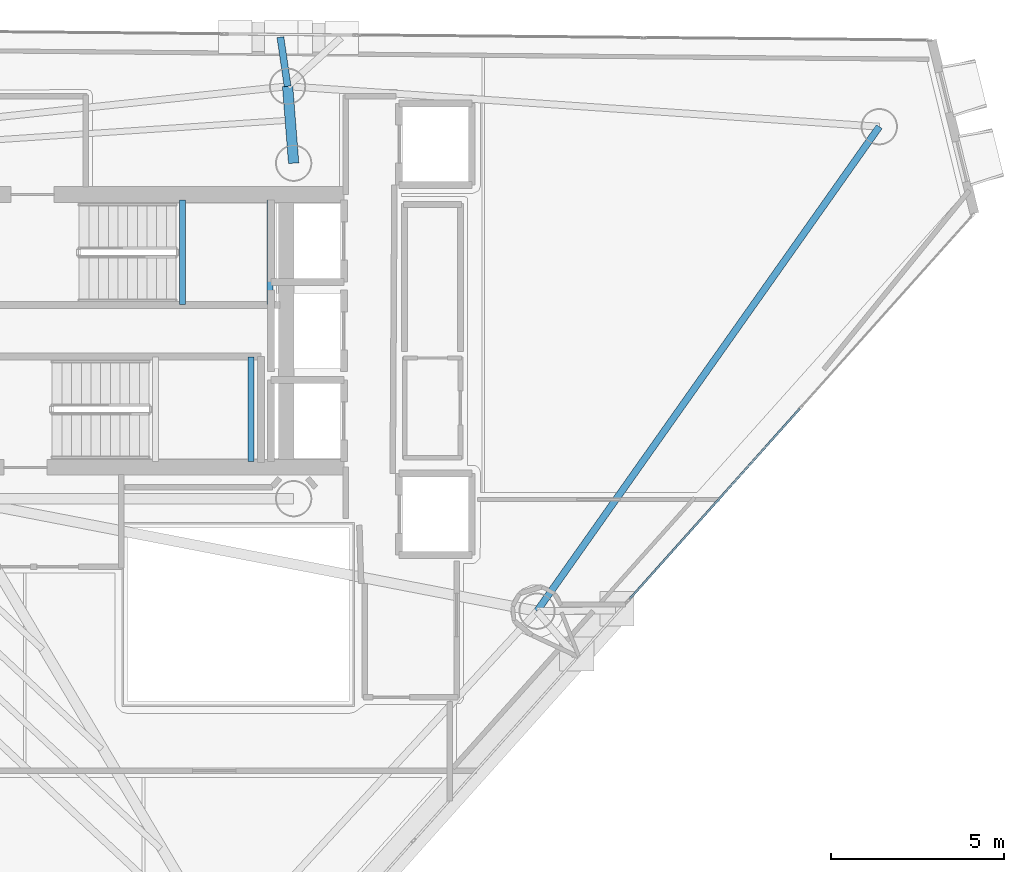
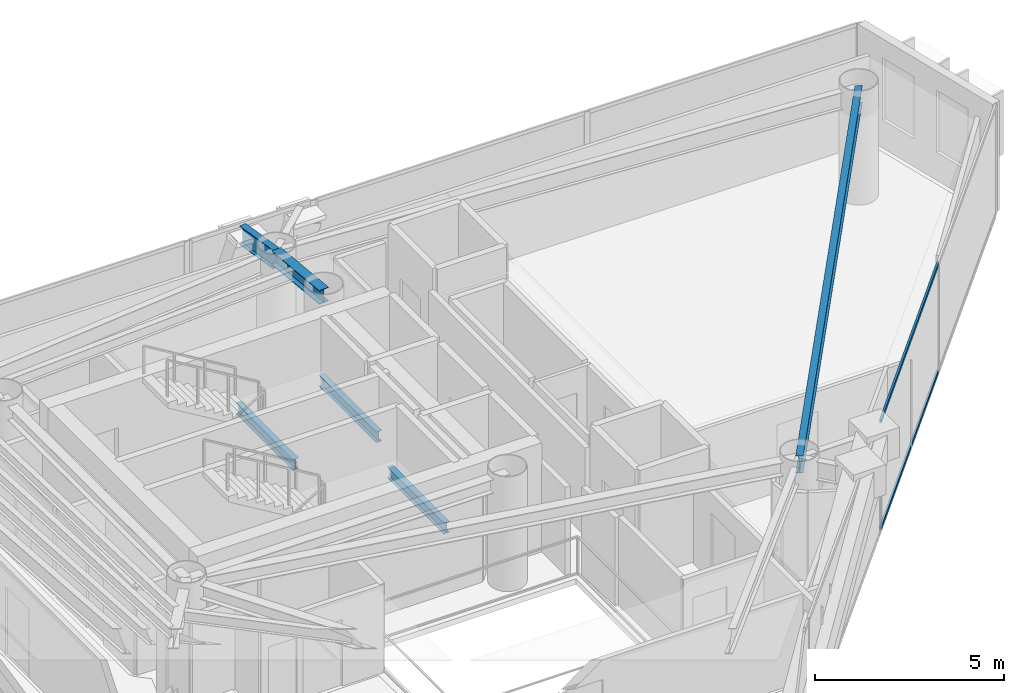
# One storey, part 11 of 21: 6 beams, 2 members, 1 element without a shape of its own.
"""IFC4 building model written with IfcOpenShell, lengths in metres."""

from ifc_helpers import new_model, si_unit, direction, frame, origin, origin_2d, place, context, subcontext, project, spatial, hollow_rectangle, i_section, extrude, material, layer, layer_set, material_profile, profile_set, type_object, element, aggregate, save


model = new_model("IFC4")

# Units and contexts
model_context = context("Model", 3, precision=1e-05, world=origin(), true_north=direction((0.0, 1.0)))
body_context = subcontext(model_context, "Body", "Model", "MODEL_VIEW")
ifc_project = project(units=[si_unit("LENGTHUNIT", "METRE"), si_unit("AREAUNIT", "SQUARE_METRE"), si_unit("VOLUMEUNIT", "CUBIC_METRE"), si_unit("PLANEANGLEUNIT", "RADIAN"), si_unit("MASSUNIT", "GRAM", prefix="KILO")], contexts=[model_context])

# Site, building, storey
site_placement = place(None, origin())
site = spatial("IfcSite", under=ifc_project, at=site_placement, CompositionType="ELEMENT")
building_placement = place(site_placement, origin())
building = spatial("IfcBuilding", under=site, at=building_placement, Name="Qianvela Tower", CompositionType="ELEMENT")
storey_placement = place(building_placement, frame((0.0, 0.0, 250.10009765625)))
storey = spatial("IfcBuildingStorey", under=building, at=storey_placement, Name="L64", CompositionType="ELEMENT", Elevation=250.10009765625)

# Beams
ifc_material_1 = material(Name="Steel Q355B", Category="steel")
ifc_material_profile_1 = material_profile(ifc_material_1, i_section(OverallWidth=0.300048828125, OverallDepth=0.43994140625, WebThickness=0.010986328125, FlangeThickness=0.01806640625, at=origin_2d()), Name="HM440x300x11x18")
ifc_profile_set_1 = profile_set([ifc_material_profile_1], Name="Steel Q355B")
beam_type_1 = type_object("IfcBeamType", Name="BM-HM440-COLL", PredefinedType="BEAM", material=ifc_profile_set_1)
beam_1_placement = place(storey_placement, frame((38.39990234375, 33.550048828125, 3.2978515625), z_axis=(-0.078396085685, 0.996922290727, 0.0), x_axis=(-0.996922290727, -0.078396085685, 0.0)))
element("IfcBeam", 1, at=beam_1_placement, inside=storey, type_object=beam_type_1, Name="L64 Radial Primary Floor Girder 2", PredefinedType="BEAM", context=body_context, shape_type="SweptSolid", body=[
    extrude(i_section(OverallWidth=0.300048828125, OverallDepth=0.43994140625, WebThickness=0.010986328125, FlangeThickness=0.01806640625, at=origin_2d()), origin(), (0.0, 0.0, 1.0), 2.229736328125),
])
ifc_material_2 = material(Name="Steel Q355B", Category="steel")
ifc_material_profile_2 = material_profile(ifc_material_2, i_section(OverallWidth=0.175048828125, OverallDepth=0.35009765625, WebThickness=0.007080078125, FlangeThickness=0.010986328125, at=origin_2d()), Name="HN350x175x7x11")
ifc_profile_set_2 = profile_set([ifc_material_profile_2], Name="Steel Q355B")
beam_type_2 = type_object("IfcBeamType", Name="BM-HN350-JOIST", PredefinedType="JOIST", material=ifc_profile_set_2)
for number, where, z_axis, x_axis, name in (
    (2, (35.179931640625, 29.4599609375, 1.474853515625), (0.0, 1.0, 0.0), (-1.0, 0.0, 0.0), "L64 Stair ST-1 Landing Support Beam 1.1"),
    (3, (37.719970703125, 29.4599609375, 1.474853515625), (0.0, 1.0, 0.0), (-1.0, 0.0, 0.0), "L64 Stair ST-1 Landing Support Beam 1.2"),
    (4, (37.169921875, 24.919921875, 1.474853515625), (0.0, 1.0, 0.0), (-1.0, 0.0, 0.0), "L64 Stair ST-2 Landing Support Beam 1.2"),
):
    element("IfcBeam", number, at=place(storey_placement, frame(where, z_axis=z_axis, x_axis=x_axis)), inside=storey, type_object=beam_type_2, Name=name, PredefinedType="JOIST", context=body_context, shape_type="SweptSolid", body=[
        extrude(i_section(OverallWidth=0.175048828125, OverallDepth=0.35009765625, WebThickness=0.007080078125, FlangeThickness=0.010986328125, at=origin_2d()), origin(), (0.0, 0.0, 1.0), 3.02001953125),
    ])
ifc_material_3 = material(Name="Steel Q355B", Category="steel")
ifc_material_profile_3 = material_profile(ifc_material_3, i_section(OverallWidth=0.199951171875, OverallDepth=0.550048828125, WebThickness=0.010009765625, FlangeThickness=0.01611328125, at=origin_2d()), Name="HN550x200x10x16")
ifc_profile_set_3 = profile_set([ifc_material_profile_3], Name="Steel Q355B")
beam_type_3 = type_object("IfcBeamType", Name="BM-HN550-GIRD", PredefinedType="BEAM", material=ifc_profile_set_3)
beam_2_placement = place(storey_placement, frame((45.43603515625, 20.597900390625, 3.242919921875), z_axis=(0.577019604961, 0.816730295441, 0.0), x_axis=(-0.816730295441, 0.577019604961, 0.0)))
element("IfcBeam", 5, at=beam_2_placement, inside=storey, type_object=beam_type_3, Name="L64 Perimeter Ring Spandrel Girder 6", PredefinedType="BEAM", context=body_context, shape_type="SweptSolid", body=[
    extrude(i_section(OverallWidth=0.199951171875, OverallDepth=0.550048828125, WebThickness=0.010009765625, FlangeThickness=0.01611328125, at=origin_2d()), origin(), (0.0, 0.0, 1.0), 17.150146484375),
])
ifc_material_4 = material(Name="Steel Q355B", Category="steel")
ifc_material_profile_4 = material_profile(ifc_material_4, i_section(OverallWidth=0.199951171875, OverallDepth=0.60009765625, WebThickness=0.010986328125, FlangeThickness=0.01708984375, at=origin_2d()), Name="HN600x200x11x17")
ifc_profile_set_4 = profile_set([ifc_material_profile_4], Name="Steel Q355B")
beam_type_4 = type_object("IfcBeamType", Name="BM-HN600-GIRD", PredefinedType="BEAM", material=ifc_profile_set_4)
beam_3_placement = place(storey_placement, frame((38.22509765625, 35.77294921875, 3.218017578125), z_axis=(-0.14461229974, 0.989488394456, 0.0), x_axis=(-0.989488394456, -0.14461229974, 0.0)))
element("IfcBeam", 6, at=beam_3_placement, inside=storey, type_object=beam_type_4, Name="L64 Mega-Brace Column Tie Bracket F1-2", PredefinedType="BEAM", context=body_context, shape_type="SweptSolid", body=[
    extrude(i_section(OverallWidth=0.199951171875, OverallDepth=0.60009765625, WebThickness=0.010986328125, FlangeThickness=0.01708984375, at=origin_2d()), origin(), (0.0, 0.0, 1.0), 1.43505859375),
])

# Curtain wall, members
ifc_material_5 = material(Name="Anodised Architectural Aluminium and Low-E Glass", Category="aluminium")
ifc_layer = layer(ifc_material_5, 0.159912109375)
ifc_layer_set = layer_set([ifc_layer], Name="Anodised Architectural Aluminium and Low-E Glass")
curtain_wall_type = type_object("IfcCurtainWallType", Name="CW-COLIV-Z56", PredefinedType="USERDEFINED", material=ifc_layer_set)
curtain_wall_placement = place(storey_placement, origin())
curtain_wall = element("IfcCurtainWall", 7, at=curtain_wall_placement, inside=storey, type_object=curtain_wall_type, Name="L64 CW-COLIV-Z56 Curtain Wall 06B", ObjectType="CURTAIN_WALL_SYSTEM", PredefinedType="USERDEFINED")
ifc_material_6 = material(Name="Anodised Architectural Aluminium 6063-T6", Category="aluminium")
ifc_material_profile_5 = material_profile(ifc_material_6, hollow_rectangle(XDim=0.06005859375, YDim=0.114990234375, WallThickness=0.00390625, at=origin_2d()), Name="ALU-TRAN-60x115")
ifc_profile_set_5 = profile_set([ifc_material_profile_5], Name="Anodised Architectural Aluminium 6063-T6")
member_type = type_object("IfcMemberType", Name="CW-COLIV-Z56-TRAN", PredefinedType="USERDEFINED", material=ifc_profile_set_5)
member_1_placement = place(storey_placement, frame((48.115478515625, 20.953369140625, 0.02978515625), z_axis=(0.666627700798, 0.745390842799, 0.0), x_axis=(-0.745390842799, 0.666627700798, 0.0)))
member_1 = element("IfcMember", 8, at=member_1_placement, type_object=member_type, Name="CW-5 transom 1.1", ObjectType="TRANSOM", PredefinedType="USERDEFINED", context=body_context, shape_type="SweptSolid", body=[
    extrude(hollow_rectangle(XDim=0.06005859375, YDim=0.114990234375, WallThickness=0.00390625, at=origin_2d()), origin(), (0.0, 0.0, 1.0), 7.386474609375),
])
member_2_placement = place(storey_placement, frame((48.115478515625, 20.953369140625, 3.489990234375), z_axis=(0.666627700798, 0.745390842799, 0.0), x_axis=(-0.745390842799, 0.666627700798, 0.0)))
member_2 = element("IfcMember", 9, at=member_2_placement, type_object=member_type, Name="CW-5 transom 1.2", ObjectType="TRANSOM", PredefinedType="USERDEFINED", context=body_context, shape_type="SweptSolid", body=[
    extrude(hollow_rectangle(XDim=0.06005859375, YDim=0.114990234375, WallThickness=0.00390625, at=origin_2d()), origin(), (0.0, 0.0, 1.0), 7.386474609375),
])
aggregate(curtain_wall, [member_1, member_2])

save(model, "model.ifc")
